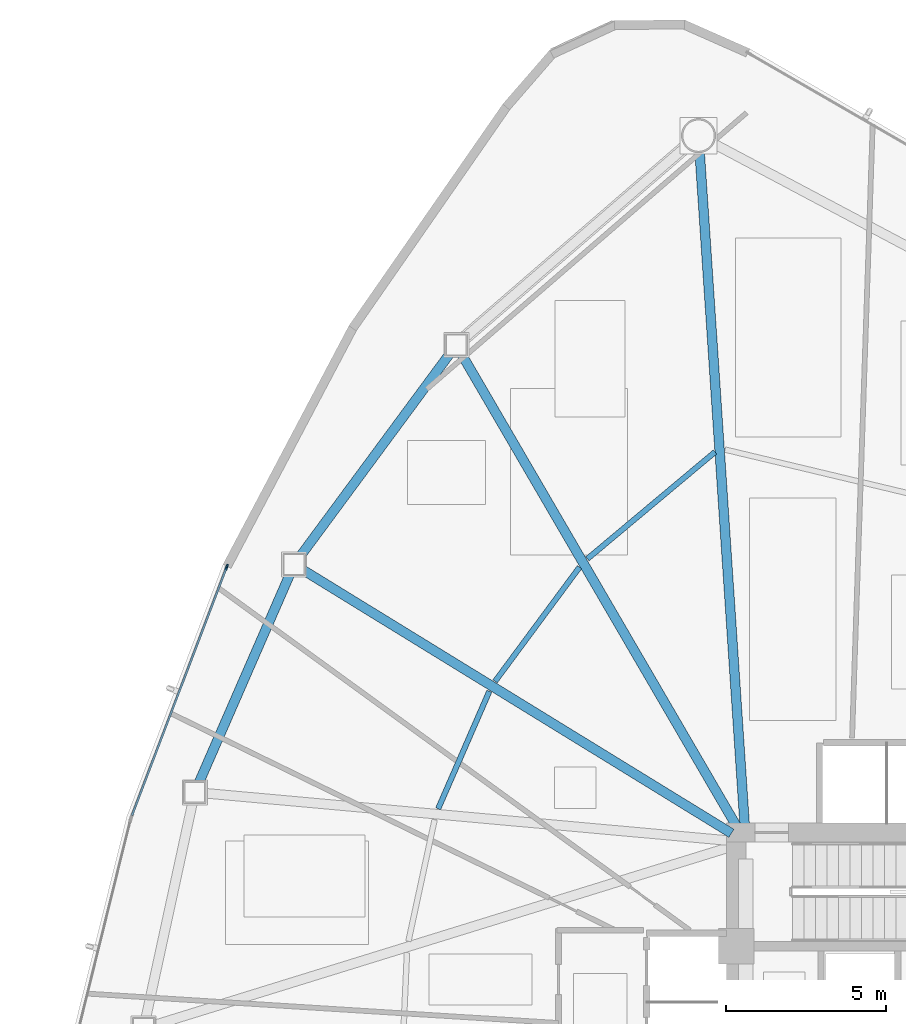
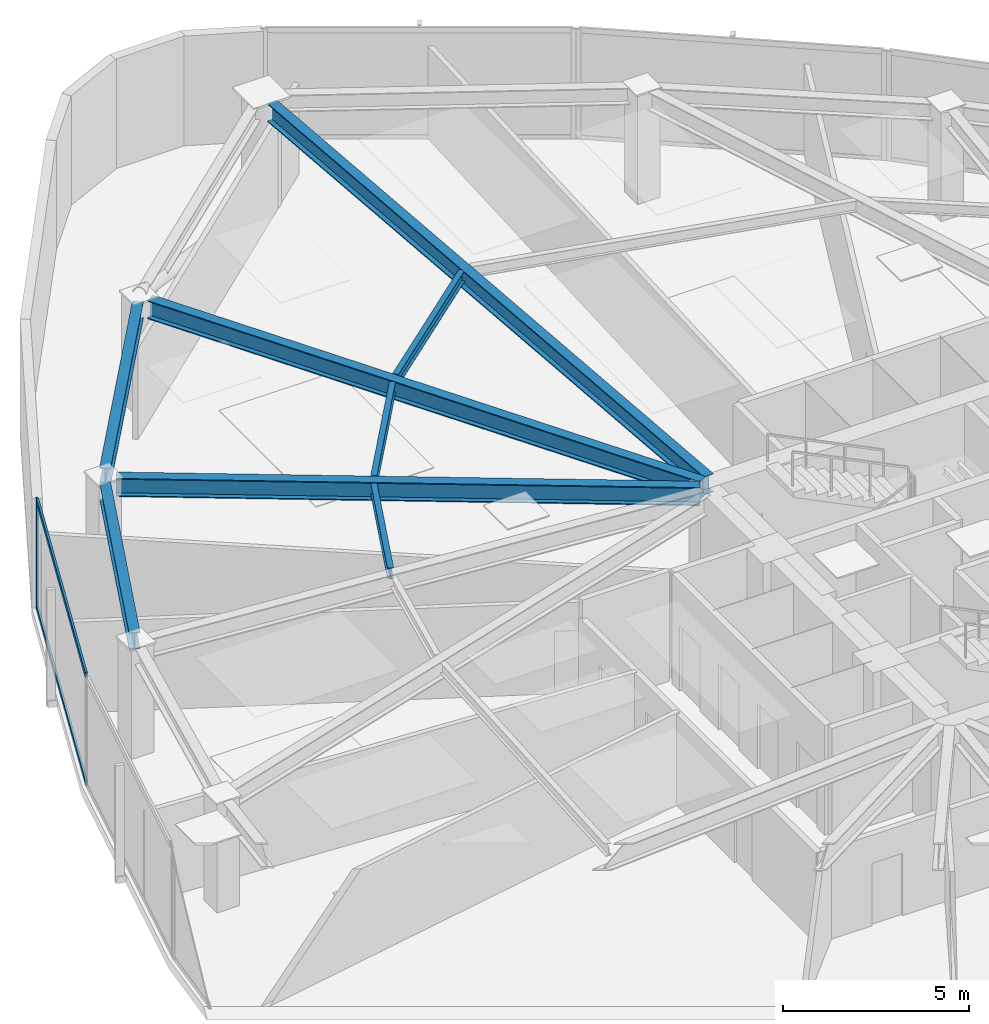
# One storey, part 7 of 17: 8 beams, 3 members, 1 element without a shape of its own.
"""IFC4 building model written with IfcOpenShell, lengths in metres."""

from ifc_helpers import new_model, si_unit, direction, frame, origin, origin_2d, place, context, subcontext, project, spatial, hollow_rectangle, i_section, extrude, source, transform, mapped, material, layer, layer_set, material_profile, profile_set, type_object, type_shapes, element, aggregate, save


model = new_model("IFC4")

# Units and contexts
model_context = context("Model", 3, precision=1e-05, world=origin(), true_north=direction((0.0, 1.0)))
body_context = subcontext(model_context, "Body", "Model", "MODEL_VIEW")
ifc_project = project(units=[si_unit("LENGTHUNIT", "METRE"), si_unit("AREAUNIT", "SQUARE_METRE"), si_unit("VOLUMEUNIT", "CUBIC_METRE"), si_unit("PLANEANGLEUNIT", "RADIAN"), si_unit("MASSUNIT", "GRAM", prefix="KILO")], contexts=[model_context])

# Site, building, storey
site_placement = place(None, origin())
site = spatial("IfcSite", under=ifc_project, at=site_placement, CompositionType="ELEMENT")
building_placement = place(site_placement, origin())
building = spatial("IfcBuilding", under=site, at=building_placement, Name="Tavelor Broadcast Tower", CompositionType="ELEMENT")
storey_placement = place(building_placement, frame((0.0, 0.0, 78.300048828125)))
storey = spatial("IfcBuildingStorey", under=building, at=storey_placement, Name="L18", CompositionType="ELEMENT", Elevation=78.300048828125)

# Beams
ifc_material_1 = material(Name="Steel S355", Category="steel")
ifc_material_profile_1 = material_profile(ifc_material_1, i_section(OverallWidth=0.169921875, OverallDepth=0.360107421875, WebThickness=0.008056640625, FlangeThickness=0.0126953125, at=origin_2d()), Name="IPE 360")
ifc_profile_set_1 = profile_set([ifc_material_profile_1], Name="Steel S355")
beam_type_1 = type_object("IfcBeamType", Name="Composite Floor Joist T2 IPE 360", PredefinedType="JOIST", material=ifc_profile_set_1)
beam_1_placement = place(storey_placement, frame((42.437744140625, 63.38671875, 3.419921875), z_axis=(-0.766764124222, -0.641928950746, 0.0), x_axis=(0.641928950746, -0.766764124222, 0.0)))
element("IfcBeam", 1, at=beam_1_placement, inside=storey, type_object=beam_type_1, Name="L18 Secondary Composite Floor Joist 01", PredefinedType="JOIST", context=body_context, shape_type="SweptSolid", body=[
    extrude(i_section(OverallWidth=0.169921875, OverallDepth=0.360107421875, WebThickness=0.008056640625, FlangeThickness=0.0126953125, at=origin_2d()), origin(), (0.0, 0.0, 1.0), 5.1982421875),
])
beam_2_placement = place(storey_placement, frame((38.20556640625, 59.7880859375, 3.419921875), z_axis=(-0.594699209794, -0.803948288057, 0.0), x_axis=(0.803948288057, -0.594699209794, 0.0)))
element("IfcBeam", 2, at=beam_2_placement, inside=storey, type_object=beam_type_1, Name="L18 Secondary Composite Floor Joist 02", PredefinedType="JOIST", context=body_context, shape_type="SweptSolid", body=[
    extrude(i_section(OverallWidth=0.169921875, OverallDepth=0.360107421875, WebThickness=0.008056640625, FlangeThickness=0.0126953125, at=origin_2d()), origin(), (0.0, 0.0, 1.0), 4.432373046875),
])
beam_3_placement = place(storey_placement, frame((35.3896484375, 55.9130859375, 3.419921875), z_axis=(-0.399446150725, -0.916756659464, 0.0), x_axis=(0.916756659464, -0.399446150725, 0.0)))
element("IfcBeam", 3, at=beam_3_placement, inside=storey, type_object=beam_type_1, Name="L18 Secondary Composite Floor Joist 03", PredefinedType="JOIST", context=body_context, shape_type="SweptSolid", body=[
    extrude(i_section(OverallWidth=0.169921875, OverallDepth=0.360107421875, WebThickness=0.008056640625, FlangeThickness=0.0126953125, at=origin_2d()), origin(), (0.0, 0.0, 1.0), 4.00390625),
])
ifc_material_profile_2 = material_profile(ifc_material_1, i_section(OverallWidth=0.300048828125, OverallDepth=0.550048828125, WebThickness=0.014892578125, FlangeThickness=0.029052734375, at=origin_2d()), Name="HEB 550")
ifc_profile_set_2 = profile_set([ifc_material_profile_2], Name="Steel S355")
beam_type_2 = type_object("IfcBeamType", Name="Perimeter Spandrel Beam T2 HEB 550", PredefinedType="SPANDREL", material=ifc_profile_set_2)
beam_4_placement = place(storey_placement, frame((34.156494140625, 66.45751953125, 3.324951171875), z_axis=(-0.59411824878, -0.804377713805, 0.0), x_axis=(0.804377713805, -0.59411824878, 0.0)))
element("IfcBeam", 4, at=beam_4_placement, inside=storey, type_object=beam_type_2, Name="L18 Framed-Tube Ring Spandrel 02", PredefinedType="SPANDREL", context=body_context, shape_type="SweptSolid", body=[
    extrude(i_section(OverallWidth=0.300048828125, OverallDepth=0.550048828125, WebThickness=0.014892578125, FlangeThickness=0.029052734375, at=origin_2d()), origin(), (0.0, 0.0, 1.0), 7.8515625),
])
beam_5_placement = place(storey_placement, frame((29.157958984375, 59.5634765625, 3.324951171875), z_axis=(-0.399859236649, -0.916576560287, 0.0), x_axis=(0.916576560287, -0.399859236649, 0.0)))
element("IfcBeam", 5, at=beam_5_placement, inside=storey, type_object=beam_type_2, Name="L18 Framed-Tube Ring Spandrel 03", PredefinedType="SPANDREL", context=body_context, shape_type="SweptSolid", body=[
    extrude(i_section(OverallWidth=0.300048828125, OverallDepth=0.550048828125, WebThickness=0.014892578125, FlangeThickness=0.029052734375, at=origin_2d()), origin(), (0.0, 0.0, 1.0), 7.088623046875),
])
ifc_material_profile_3 = material_profile(ifc_material_1, i_section(OverallWidth=0.300048828125, OverallDepth=0.60009765625, WebThickness=0.015380859375, FlangeThickness=0.030029296875, at=origin_2d()), Name="HEB 600")
ifc_profile_set_3 = profile_set([ifc_material_profile_3], Name="Steel S355")
beam_type_3 = type_object("IfcBeamType", Name="Radial Floor Girder T2 HEB 600", PredefinedType="BEAM", material=ifc_profile_set_3)
beam_6_placement = place(storey_placement, frame((43.36474609375, 51.726806640625, 3.300048828125), z_axis=(-0.066782727419, 0.997767541724, 0.0), x_axis=(-0.997767541724, -0.066782727419, 0.0)))
element("IfcBeam", 6, at=beam_6_placement, inside=storey, type_object=beam_type_3, Name="L18 Radial Primary Floor Girder 01", PredefinedType="BEAM", context=body_context, shape_type="SweptSolid", body=[
    extrude(i_section(OverallWidth=0.300048828125, OverallDepth=0.60009765625, WebThickness=0.015380859375, FlangeThickness=0.030029296875, at=origin_2d()), origin(), (0.0, 0.0, 1.0), 21.075439453125),
])
beam_7_placement = place(storey_placement, frame((43.13427734375, 51.65625, 3.300048828125), z_axis=(-0.503292320279, 0.864116219237, 0.0), x_axis=(-0.864116219237, -0.503292320279, 0.0)))
element("IfcBeam", 7, at=beam_7_placement, inside=storey, type_object=beam_type_3, Name="L18 Radial Primary Floor Girder 02", PredefinedType="BEAM", context=body_context, shape_type="SweptSolid", body=[
    extrude(i_section(OverallWidth=0.300048828125, OverallDepth=0.60009765625, WebThickness=0.015380859375, FlangeThickness=0.030029296875, at=origin_2d()), origin(), (0.0, 0.0, 1.0), 17.105712890625),
])
beam_8_placement = place(storey_placement, frame((42.9501953125, 51.4765625, 3.300048828125), z_axis=(-0.851937509834, 0.523643465859, 0.0), x_axis=(-0.523643465859, -0.851937509834, 0.0)))
element("IfcBeam", 8, at=beam_8_placement, inside=storey, type_object=beam_type_3, Name="L18 Radial Primary Floor Girder 03", PredefinedType="BEAM", context=body_context, shape_type="SweptSolid", body=[
    extrude(i_section(OverallWidth=0.300048828125, OverallDepth=0.60009765625, WebThickness=0.015380859375, FlangeThickness=0.030029296875, at=origin_2d()), origin(), (0.0, 0.0, 1.0), 15.69580078125),
])

# Curtain wall, members
ifc_material_2 = material(Name="Architectural Anodized Aluminium", Category="aluminium")
ifc_layer = layer(ifc_material_2, 0.179931640625)
ifc_layer_set = layer_set([ifc_layer], Name="Architectural Anodized Aluminium")
curtain_wall_type = type_object("IfcCurtainWallType", Name="Tower Low-Zone Unitised Curtain Wall CW02", PredefinedType="NOTDEFINED", material=ifc_layer_set)
curtain_wall_placement = place(storey_placement, origin())
curtain_wall = element("IfcCurtainWall", 9, at=curtain_wall_placement, inside=storey, type_object=curtain_wall_type, Name="L18 Curtain Wall CW02 Run 169", PredefinedType="NOTDEFINED")
ifc_material_profile_4 = material_profile(ifc_material_2, hollow_rectangle(XDim=0.06494140625, YDim=0.179931640625, WallThickness=0.02197265625, at=origin_2d()), Name="RHS 65x180x22")
ifc_profile_set_4 = profile_set([ifc_material_profile_4], Name="Architectural Anodized Aluminium")
member_type_1 = type_object("IfcMemberType", Name="CW02 Extruded Aluminium Mullion 65x180", PredefinedType="MULLION", material=ifc_profile_set_4)
shared_shape_1 = source(origin(), body_context, "Body", "SweptSolid", [
    extrude(hollow_rectangle(XDim=0.06494140625, YDim=0.179931640625, WallThickness=0.02197265625, at=origin_2d()), origin(), (0.0, 0.0, 1.0), 3.599853515625),
])
type_shapes(member_type_1, [shared_shape_1])
member_1_placement = place(storey_placement, frame((27.185791015625, 59.78955078125, 0.0), z_axis=(0.0, 0.0, 1.0), x_axis=(0.934359618061, -0.356331452636, 0.0)))
member_1 = element("IfcMember", 10, at=member_1_placement, type_object=member_type_1, Name="CW02 mullion 1", PredefinedType="MULLION", context=body_context, shape_type="MappedRepresentation", body=[
    mapped(shared_shape_1, transform((0.0, 0.0, 0.0), scale=1.0)),
])
ifc_material_profile_5 = material_profile(ifc_material_2, hollow_rectangle(XDim=0.06494140625, YDim=0.179931640625, WallThickness=0.02197265625, at=origin_2d()), Name="RHS 65x180x22")
ifc_profile_set_5 = profile_set([ifc_material_profile_5], Name="Architectural Anodized Aluminium")
member_type_2 = type_object("IfcMemberType", Name="CW02 Extruded Aluminium Transom 65x180", PredefinedType="USERDEFINED", material=ifc_profile_set_5)
shared_shape_2 = source(origin(), body_context, "Body", "SweptSolid", [
    extrude(hollow_rectangle(XDim=0.06494140625, YDim=0.179931640625, WallThickness=0.02197265625, at=origin_2d()), origin(), (0.0, 0.0, 1.0), 8.26953125),
])
type_shapes(member_type_2, [shared_shape_2])
member_2_placement = place(storey_placement, frame((27.17431640625, 59.759033203125, 0.032470703125), z_axis=(-0.356336595662, -0.934357656678, 0.0), x_axis=(0.934357656678, -0.356336595662, 0.0)))
member_2 = element("IfcMember", 11, at=member_2_placement, type_object=member_type_2, Name="CW02 transom 1.1", ObjectType="TRANSOM", PredefinedType="USERDEFINED", context=body_context, shape_type="MappedRepresentation", body=[
    mapped(shared_shape_2, transform((0.0, 0.0, 0.0), scale=1.0)),
])
member_3_placement = place(storey_placement, frame((27.17431640625, 59.759033203125, 3.5673828125), z_axis=(-0.356336595662, -0.934357656678, 0.0), x_axis=(0.934357656678, -0.356336595662, 0.0)))
member_3 = element("IfcMember", 12, at=member_3_placement, type_object=member_type_2, Name="CW02 transom 1.2", ObjectType="TRANSOM", PredefinedType="USERDEFINED", context=body_context, shape_type="MappedRepresentation", body=[
    mapped(shared_shape_2, transform((0.0, 0.0, 0.0), scale=1.0)),
])
aggregate(curtain_wall, [member_1, member_2, member_3])

save(model, "model.ifc")
